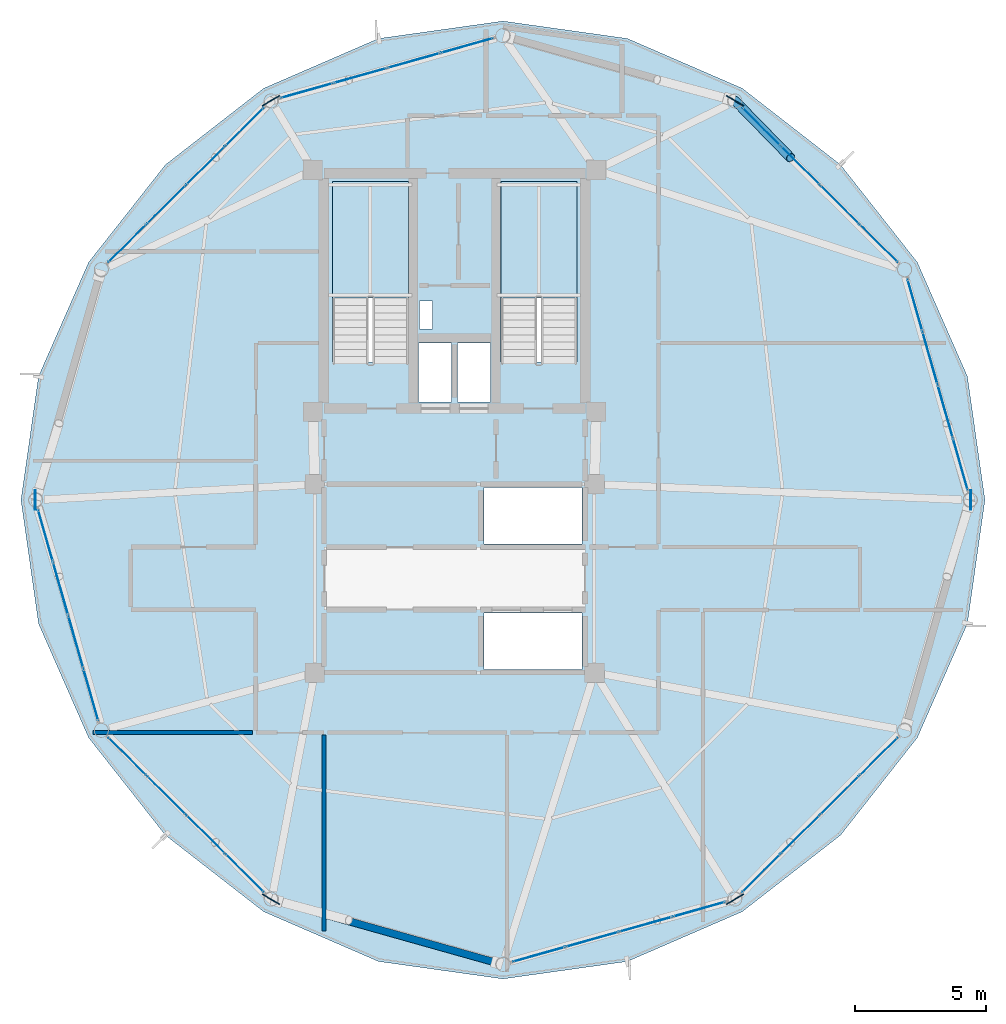
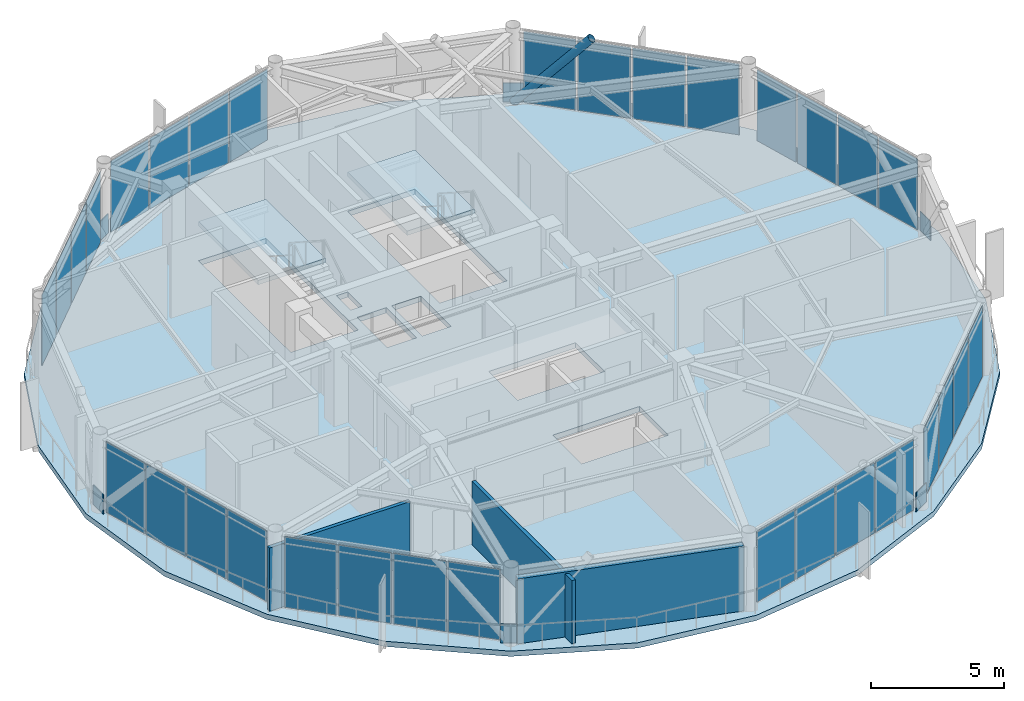
# One storey, part 18 of 24: 38 plates, 3 slabs, 3 walls, 1 member, 10 elements without a shape of their own.
"""IFC4 building model written with IfcOpenShell, lengths in metres."""

from ifc_helpers import new_model, si_unit, direction, frame, frame_2d, origin, origin_2d, place, context, subcontext, project, spatial, polyline, rectangle, hollow_circle, outline, extrude, source, transform, mapped, material, layer, layer_set, material_profile, profile_set, type_object, type_shapes, element, aggregate, save


model = new_model("IFC4")

# Units and contexts
model_context = context("Model", 3, precision=1e-05, world=origin(), true_north=direction((0.0, 1.0)))
body_context = subcontext(model_context, "Body", "Model", "MODEL_VIEW")
ifc_project = project(units=[si_unit("LENGTHUNIT", "METRE"), si_unit("AREAUNIT", "SQUARE_METRE"), si_unit("VOLUMEUNIT", "CUBIC_METRE"), si_unit("PLANEANGLEUNIT", "RADIAN"), si_unit("MASSUNIT", "GRAM", prefix="KILO")], contexts=[model_context])

# Site, building, storey
site_placement = place(None, origin())
site = spatial("IfcSite", under=ifc_project, at=site_placement, CompositionType="ELEMENT")
building_placement = place(site_placement, origin())
building = spatial("IfcBuilding", under=site, at=building_placement, Name="Varnakorn Sky Granary", CompositionType="ELEMENT")
storey_placement = place(building_placement, frame((0.0, 0.0, 281.39990234375)))
storey = spatial("IfcBuildingStorey", under=building, at=storey_placement, Name="L72", CompositionType="ELEMENT", Elevation=281.39990234375)

# Member
ifc_material_1 = material(Name="Steel S460M", Category="steel")
ifc_material_profile = material_profile(ifc_material_1, hollow_circle(Radius=0.177734375, WallThickness=0.01416015625, at=origin_2d()), Name="CHS 355.6x14")
ifc_profile_set = profile_set([ifc_material_profile], Name="Steel S460M")
member_type = type_object("IfcMemberType", Name="MB-DIAG-T5", PredefinedType="BRACE", material=ifc_profile_set)
member_placement = place(storey_placement, frame((13.72509765625, 15.2705078125, 0.0), z_axis=(0.458839922845, -0.470179070364, 0.753921459434), x_axis=(0.715684070406, 0.698424162932, 0.0)))
element("IfcMember", 1, at=member_placement, inside=storey, type_object=member_type, Name="Perimeter CHS Diagrid Brace DG02 L72", PredefinedType="BRACE", context=body_context, shape_type="SweptSolid", body=[
    extrude(hollow_circle(Radius=0.177734375, WallThickness=0.01416015625, at=origin_2d()), origin(), (0.0, 0.0, 1.0), 4.629150390625),
])

# Plates
ifc_layer_1 = layer(ifc_material_1, 0.035888671875, Name="Steel S460M")
ifc_layer_set_1 = layer_set([ifc_layer_1], Name="Steel S460M")
plate_type_1 = type_object("IfcPlateType", Name="PL-NODE-KN4", PredefinedType="SHEET", material=ifc_layer_set_1)
for number, where, z_axis, x_axis, name in (
    (2, (22.735107421875, 0.0, 0.000244140625), (0.0, 0.0, 1.0), (0.0, 1.0, 0.0), "Diagrid Node Gusset Assembly KN4 L72-1"),
    (3, (13.72509765625, 15.2705078125, 0.000244140625), (0.0, 0.0, 1.0), (-0.864587273603, 0.502482682611, 0.0), "Diagrid Node Gusset Assembly KN4 L72-3"),
    (4, (-4.02490234375, 15.2705078125, 0.000244140625), (0.0, 0.0, 1.0), (-0.864587273603, -0.502482682611, 0.0), "Diagrid Node Gusset Assembly KN4 L72-5"),
    (5, (-13.034912109375, 0.0, 0.000244140625), (0.0, 0.0, 1.0), (0.0, -1.0, 0.0), "Diagrid Node Gusset Assembly KN4 L72-7"),
    (6, (-4.02490234375, -15.2705078125, 0.000244140625), (0.0, 0.0, 1.0), (0.864587273603, -0.502482682611, 0.0), "Diagrid Node Gusset Assembly KN4 L72-9"),
    (7, (13.72509765625, -15.2705078125, 0.000244140625), (0.0, 0.0, 1.0), (0.864587273603, 0.502482682611, 0.0), "Diagrid Node Gusset Assembly KN4 L72-11"),
):
    element("IfcPlate", number, at=place(storey_placement, frame(where, z_axis=z_axis, x_axis=x_axis)), inside=storey, type_object=plate_type_1, Name=name, PredefinedType="SHEET", context=body_context, shape_type="SweptSolid", body=[
        extrude(rectangle(XDim=0.760009765625, YDim=0.035888671875, at=origin_2d()), origin(), (0.0, 0.0, 1.0), 0.8798828125),
    ])

# Stair, slab
ifc_material_2 = material(Name="Concrete C40/50", Category="concrete")
stair_type = type_object("IfcStairType", Name="ST-MAIN-ASSEMBLY", PredefinedType="HALF_TURN_STAIR", material=ifc_material_2)
stair_1_placement = place(storey_placement, origin())
stair_1 = element("IfcStair", 8, at=stair_1_placement, inside=storey, type_object=stair_type, Name="L72 Protected Exit Stair ST-1", PredefinedType="HALF_TURN_STAIR")
ifc_layer_2 = layer(ifc_material_2, 0.199951171875, Name="Concrete C40/50")
ifc_layer_set_2 = layer_set([ifc_layer_2], Name="Concrete C40/50")
slab_type_1 = type_object("IfcSlabType", Name="ST-MAIN-LAND", PredefinedType="LANDING", material=ifc_layer_set_2)
slab_1_placement = place(storey_placement, frame((0.0, 0.0, 1.60009765625)))
slab_1 = element("IfcSlab", 9, at=slab_1_placement, type_object=slab_type_1, Name="ST-1 landing 1", PredefinedType="LANDING", context=body_context, shape_type="SweptSolid", body=[
    extrude(outline(polyline([(1.239990234375, 7.719970703125), (1.239990234375, 12.179931640625), (-1.669921875, 12.179931640625), (-1.669921875, 7.719970703125), (1.239990234375, 7.719970703125)])), origin(), (0.0, 0.0, 1.0), 0.199951171875),
])
aggregate(stair_1, [slab_1])

stair_2_placement = place(storey_placement, origin())
stair_2 = element("IfcStair", 10, at=stair_2_placement, inside=storey, type_object=stair_type, Name="L72 Protected Exit Stair ST-2", PredefinedType="HALF_TURN_STAIR")
slab_2_placement = place(storey_placement, frame((0.0, 0.0, 1.60009765625)))
slab_2 = element("IfcSlab", 11, at=slab_2_placement, type_object=slab_type_1, Name="ST-2 landing 1", PredefinedType="LANDING", context=body_context, shape_type="SweptSolid", body=[
    extrude(outline(polyline([(7.679931640625, 7.719970703125), (7.679931640625, 12.179931640625), (4.77001953125, 12.179931640625), (4.77001953125, 7.719970703125), (7.679931640625, 7.719970703125)])), origin(), (0.0, 0.0, 1.0), 0.199951171875),
])
aggregate(stair_2, [slab_2])

# Slab
ifc_material_3 = material(Name="Concrete C50/60", Category="concrete")
ifc_layer_3 = layer(ifc_material_3, 0.239990234375, Name="Concrete C50/60")
ifc_layer_set_3 = layer_set([ifc_layer_3], Name="Concrete C50/60")
slab_type_2 = type_object("IfcSlabType", Name="ST-SL-TWR-240", PredefinedType="FLOOR", material=ifc_layer_set_3)
slab_3_placement = place(storey_placement, frame((0.0, 0.0, -0.239990234375)))
element("IfcSlab", 12, at=slab_3_placement, inside=storey, type_object=slab_type_2, Name="Level L72 Structural Floor Slab", PredefinedType="FLOOR", context=body_context, shape_type="SweptSolid", body=[
    extrude(outline(polyline([(23.284912109375, 0.0), (22.61328125, 4.7294921875), (20.6982421875, 9.091552734375), (17.75830078125, 12.825439453125), (14.0, 15.746826171875), (9.609619140625, 17.650390625), (4.85009765625, 18.318115234375), (0.09033203125, 17.650390625), (-4.300048828125, 15.746826171875), (-8.05810546875, 12.825439453125), (-10.998291015625, 9.091552734375), (-12.913330078125, 4.7294921875), (-13.5849609375, 0.0), (-12.913330078125, -4.7294921875), (-10.998291015625, -9.091552734375), (-8.05810546875, -12.825439453125), (-4.300048828125, -15.746826171875), (0.09033203125, -17.650390625), (4.85009765625, -18.318115234375), (9.609619140625, -17.650390625), (14.0, -15.746826171875), (17.75830078125, -12.825439453125), (20.6982421875, -9.091552734375), (22.61328125, -4.7294921875), (23.284912109375, 0.0)]), holes=[polyline([(1.239990234375, 5.27490234375), (1.239990234375, 12.179931640625), (-1.669921875, 12.179931640625), (-1.669921875, 5.27490234375), (1.239990234375, 5.27490234375)]), polyline([(7.679931640625, 5.27490234375), (7.679931640625, 12.179931640625), (4.77001953125, 12.179931640625), (4.77001953125, 5.27490234375), (7.679931640625, 5.27490234375)]), polyline([(1.659912109375, 6.550048828125), (2.14990234375, 6.550048828125), (2.14990234375, 7.6201171875), (1.659912109375, 7.6201171875), (1.659912109375, 6.550048828125)]), polyline([(1.6201171875, 3.739990234375), (2.8798828125, 3.739990234375), (2.8798828125, 6.010009765625), (1.6201171875, 6.010009765625), (1.6201171875, 3.739990234375)]), polyline([(3.1201171875, 3.739990234375), (4.3798828125, 3.739990234375), (4.3798828125, 6.010009765625), (3.1201171875, 6.010009765625), (3.1201171875, 3.739990234375)]), polyline([(4.1201171875, -1.679931640625), (7.8798828125, -1.679931640625), (7.8798828125, 0.47998046875), (4.1201171875, 0.47998046875), (4.1201171875, -1.679931640625)]), polyline([(4.1201171875, -6.47998046875), (7.8798828125, -6.47998046875), (7.8798828125, -4.320068359375), (4.1201171875, -4.320068359375), (4.1201171875, -6.47998046875)])]), origin(), (0.0, 0.0, 1.0), 0.239990234375),
])

# Curtain wall, plates
ifc_material_4 = material(Name="Anodised Bronze Aluminium Alloy 6063-T6", Category="aluminium")
ifc_layer_4 = layer(ifc_material_4, 0.159912109375, Name="Anodised Bronze Aluminium Alloy 6063-T6")
ifc_layer_set_4 = layer_set([ifc_layer_4], Name="Anodised Bronze Aluminium Alloy 6063-T6")
curtain_wall_type = type_object("IfcCurtainWallType", Name="CW-OFF-1", PredefinedType="USERDEFINED", material=ifc_layer_set_4)
curtain_wall_1_placement = place(storey_placement, origin())
curtain_wall_1 = element("IfcCurtainWall", 13, at=curtain_wall_1_placement, inside=storey, type_object=curtain_wall_type, Name="Unitised Curtain Wall CW6 CW-L72-B02", ObjectType="CURTAIN WALL", PredefinedType="USERDEFINED")
ifc_material_5 = material(Name="Opaque Insulated Aluminium Shadow-Box Unit", Category="aluminium")
ifc_layer_5 = layer(ifc_material_5, 0.02392578125, Name="Opaque Insulated Aluminium Shadow-Box Unit")
ifc_layer_set_5 = layer_set([ifc_layer_5], Name="Opaque Insulated Aluminium Shadow-Box Unit")
plate_type_2 = type_object("IfcPlateType", Name="CW-OFF-1-PNL", PredefinedType="CURTAIN_PANEL")
shared_shape_1 = source(origin(), body_context, "Body", "SweptSolid", [
    extrude(rectangle(XDim=2.0546875, YDim=0.02392578125, at=origin_2d()), origin(), (0.0, 0.0, 1.0), 3.22998046875),
])
plate_1_placement = place(storey_placement, frame((16.2216796875, 12.79052734375, 0.065185546875), z_axis=(0.0, 0.0, 1.0), x_axis=(0.709444052048, -0.704761759046, 0.0)))
plate_1 = element("IfcPlate", 14, at=plate_1_placement, type_object=plate_type_2, material=ifc_layer_set_5, Name="CW6 opaque insulated shadow-box unit 2.1", PredefinedType="CURTAIN_PANEL", context=body_context, shape_type="MappedRepresentation", body=[
    mapped(shared_shape_1, transform((0.0, 0.0, 0.0), x_axis=(1.0, 0.0, 0.0), y_axis=(0.0, 1.0, 0.0), z_axis=(0.0, 0.0, 1.0), scale=1.0)),
])
ifc_material_6 = material(Name="Low-E Tinted Laminated Glass", Category="glass")
ifc_layer_6 = layer(ifc_material_6, 0.02392578125, Name="Low-E Tinted Laminated Glass")
ifc_layer_set_6 = layer_set([ifc_layer_6], Name="Low-E Tinted Laminated Glass")
plate_2_placement = place(storey_placement, frame((17.725341796875, 11.296630859375, 0.065185546875), z_axis=(0.0, 0.0, 1.0), x_axis=(0.709444052048, -0.704761759046, 0.0)))
plate_2 = element("IfcPlate", 15, at=plate_2_placement, type_object=plate_type_2, material=ifc_layer_set_6, Name="CW6 vision glazing unit 3.1", PredefinedType="CURTAIN_PANEL", context=body_context, shape_type="MappedRepresentation", body=[
    mapped(shared_shape_1, transform((0.0, 0.0, 0.0), x_axis=(1.0, 0.0, 0.0), y_axis=(0.0, 1.0, 0.0), z_axis=(0.0, 0.0, 1.0), scale=1.0)),
])

curtain_wall_2_placement = place(storey_placement, origin())
curtain_wall_2 = element("IfcCurtainWall", 16, at=curtain_wall_2_placement, inside=storey, type_object=curtain_wall_type, Name="Unitised Curtain Wall CW6 CW-L72-B05", ObjectType="CURTAIN WALL", PredefinedType="USERDEFINED")
plate_3_placement = place(storey_placement, frame((-8.025390625, 11.296630859375, 0.065185546875), z_axis=(0.0, 0.0, 1.0), x_axis=(0.709444052048, 0.704761759046, 0.0)))
plate_3 = element("IfcPlate", 17, at=plate_3_placement, type_object=plate_type_2, material=ifc_layer_set_6, Name="CW6 vision glazing unit 2.1", PredefinedType="CURTAIN_PANEL", context=body_context, shape_type="MappedRepresentation", body=[
    mapped(shared_shape_1, transform((0.0, 0.0, 0.0), x_axis=(1.0, 0.0, 0.0), y_axis=(0.0, 1.0, 0.0), z_axis=(0.0, 0.0, 1.0), scale=1.0)),
])
plate_4_placement = place(storey_placement, frame((-6.521484375, 12.79052734375, 0.065185546875), z_axis=(0.0, 0.0, 1.0), x_axis=(0.709444052048, 0.704761759046, 0.0)))
plate_4 = element("IfcPlate", 18, at=plate_4_placement, type_object=plate_type_2, material=ifc_layer_set_5, Name="CW6 opaque insulated shadow-box unit 3.1", PredefinedType="CURTAIN_PANEL", context=body_context, shape_type="MappedRepresentation", body=[
    mapped(shared_shape_1, transform((0.0, 0.0, 0.0), x_axis=(1.0, 0.0, 0.0), y_axis=(0.0, 1.0, 0.0), z_axis=(0.0, 0.0, 1.0), scale=1.0)),
])

curtain_wall_3_placement = place(storey_placement, origin())
curtain_wall_3 = element("IfcCurtainWall", 19, at=curtain_wall_3_placement, inside=storey, type_object=curtain_wall_type, Name="Unitised Curtain Wall CW6 CW-L72-B08", ObjectType="CURTAIN WALL", PredefinedType="USERDEFINED")
plate_5_placement = place(storey_placement, frame((-6.521484375, -12.79052734375, 0.065185546875), z_axis=(0.0, 0.0, 1.0), x_axis=(-0.709444052048, 0.704761759046, 0.0)))
plate_5 = element("IfcPlate", 20, at=plate_5_placement, type_object=plate_type_2, material=ifc_layer_set_5, Name="CW6 opaque insulated shadow-box unit 2.1", PredefinedType="CURTAIN_PANEL", context=body_context, shape_type="MappedRepresentation", body=[
    mapped(shared_shape_1, transform((0.0, 0.0, 0.0), x_axis=(1.0, 0.0, 0.0), y_axis=(0.0, 1.0, 0.0), z_axis=(0.0, 0.0, 1.0), scale=1.0)),
])
plate_6_placement = place(storey_placement, frame((-8.025390625, -11.296630859375, 0.065185546875), z_axis=(0.0, 0.0, 1.0), x_axis=(-0.709444052048, 0.704761759046, 0.0)))
plate_6 = element("IfcPlate", 21, at=plate_6_placement, type_object=plate_type_2, material=ifc_layer_set_6, Name="CW6 vision glazing unit 3.1", PredefinedType="CURTAIN_PANEL", context=body_context, shape_type="MappedRepresentation", body=[
    mapped(shared_shape_1, transform((0.0, 0.0, 0.0), x_axis=(1.0, 0.0, 0.0), y_axis=(0.0, 1.0, 0.0), z_axis=(0.0, 0.0, 1.0), scale=1.0)),
])

curtain_wall_4_placement = place(storey_placement, origin())
curtain_wall_4 = element("IfcCurtainWall", 22, at=curtain_wall_4_placement, inside=storey, type_object=curtain_wall_type, Name="Unitised Curtain Wall CW6 CW-L72-B11", ObjectType="CURTAIN WALL", PredefinedType="USERDEFINED")
plate_7_placement = place(storey_placement, frame((17.725341796875, -11.296630859375, 0.065185546875), z_axis=(0.0, 0.0, 1.0), x_axis=(-0.709444052048, -0.704761759046, 0.0)))
plate_7 = element("IfcPlate", 23, at=plate_7_placement, type_object=plate_type_2, material=ifc_layer_set_6, Name="CW6 vision glazing unit 2.1", PredefinedType="CURTAIN_PANEL", context=body_context, shape_type="MappedRepresentation", body=[
    mapped(shared_shape_1, transform((0.0, 0.0, 0.0), x_axis=(1.0, 0.0, 0.0), y_axis=(0.0, 1.0, 0.0), z_axis=(0.0, 0.0, 1.0), scale=1.0)),
])
plate_8_placement = place(storey_placement, frame((16.2216796875, -12.79052734375, 0.065185546875), z_axis=(0.0, 0.0, 1.0), x_axis=(-0.709444052048, -0.704761759046, 0.0)))
plate_8 = element("IfcPlate", 24, at=plate_8_placement, type_object=plate_type_2, material=ifc_layer_set_5, Name="CW6 opaque insulated shadow-box unit 3.1", PredefinedType="CURTAIN_PANEL", context=body_context, shape_type="MappedRepresentation", body=[
    mapped(shared_shape_1, transform((0.0, 0.0, 0.0), x_axis=(1.0, 0.0, 0.0), y_axis=(0.0, 1.0, 0.0), z_axis=(0.0, 0.0, 1.0), scale=1.0)),
])

curtain_wall_5_placement = place(storey_placement, origin())
curtain_wall_5 = element("IfcCurtainWall", 25, at=curtain_wall_5_placement, inside=storey, type_object=curtain_wall_type, Name="Unitised Curtain Wall CW6 CW-L72-B01", ObjectType="CURTAIN WALL", PredefinedType="USERDEFINED")
shared_shape_2 = source(origin(), body_context, "Body", "SweptSolid", [
    extrude(rectangle(XDim=2.024658203125, YDim=0.02392578125, at=origin_2d()), origin(), (0.0, 0.0, 1.0), 3.22998046875),
])
plate_9_placement = place(storey_placement, frame((20.6103515625, 7.453857421875, 0.065185546875), z_axis=(0.0, 0.0, 1.0), x_axis=(0.274108042934, -0.961698903399, 0.0)))
plate_9 = element("IfcPlate", 26, at=plate_9_placement, type_object=plate_type_2, material=ifc_layer_set_6, Name="CW6 vision glazing unit 1.1", PredefinedType="CURTAIN_PANEL", context=body_context, shape_type="MappedRepresentation", body=[
    mapped(shared_shape_2, transform((0.0, 0.0, 0.0), x_axis=(1.0, 0.0, 0.0), y_axis=(0.0, 1.0, 0.0), z_axis=(0.0, 0.0, 1.0), scale=1.0)),
])
plate_10_placement = place(storey_placement, frame((22.3466796875, 1.362548828125, 0.065185546875), z_axis=(0.0, 0.0, 1.0), x_axis=(0.274108042934, -0.961698903399, 0.0)))
plate_10 = element("IfcPlate", 27, at=plate_10_placement, type_object=plate_type_2, material=ifc_layer_set_5, Name="CW6 opaque insulated shadow-box unit 4.1", PredefinedType="CURTAIN_PANEL", context=body_context, shape_type="MappedRepresentation", body=[
    mapped(shared_shape_2, transform((0.0, 0.0, 0.0), x_axis=(1.0, 0.0, 0.0), y_axis=(0.0, 1.0, 0.0), z_axis=(0.0, 0.0, 1.0), scale=1.0)),
])

curtain_wall_6_placement = place(storey_placement, origin())
curtain_wall_6 = element("IfcCurtainWall", 28, at=curtain_wall_6_placement, inside=storey, type_object=curtain_wall_type, Name="Unitised Curtain Wall CW6 CW-L72-B07", ObjectType="CURTAIN WALL", PredefinedType="USERDEFINED")
plate_11_placement = place(storey_placement, frame((-10.910400390625, -7.453857421875, 0.065185546875), z_axis=(0.0, 0.0, 1.0), x_axis=(-0.274108042934, 0.961698903399, 0.0)))
plate_11 = element("IfcPlate", 29, at=plate_11_placement, type_object=plate_type_2, material=ifc_layer_set_6, Name="CW6 vision glazing unit 1.1", PredefinedType="CURTAIN_PANEL", context=body_context, shape_type="MappedRepresentation", body=[
    mapped(shared_shape_2, transform((0.0, 0.0, 0.0), x_axis=(1.0, 0.0, 0.0), y_axis=(0.0, 1.0, 0.0), z_axis=(0.0, 0.0, 1.0), scale=1.0)),
])
plate_12_placement = place(storey_placement, frame((-12.646484375, -1.362548828125, 0.065185546875), z_axis=(0.0, 0.0, 1.0), x_axis=(-0.274108042934, 0.961698903399, 0.0)))
plate_12 = element("IfcPlate", 30, at=plate_12_placement, type_object=plate_type_2, material=ifc_layer_set_5, Name="CW6 opaque insulated shadow-box unit 4.1", PredefinedType="CURTAIN_PANEL", context=body_context, shape_type="MappedRepresentation", body=[
    mapped(shared_shape_2, transform((0.0, 0.0, 0.0), x_axis=(1.0, 0.0, 0.0), y_axis=(0.0, 1.0, 0.0), z_axis=(0.0, 0.0, 1.0), scale=1.0)),
])

# Plate
shared_shape_3 = source(origin(), body_context, "Body", "SweptSolid", [
    extrude(rectangle(XDim=2.05712890625, YDim=0.02392578125, at=origin_2d()), origin(), (0.0, 0.0, 1.0), 3.22998046875),
])
plate_13_placement = place(storey_placement, frame((21.187744140625, 5.4287109375, 0.065185546875), z_axis=(0.0, 0.0, 1.0), x_axis=(0.274108042934, -0.961698903399, 0.0)))
plate_13 = element("IfcPlate", 31, at=plate_13_placement, type_object=plate_type_2, material=ifc_layer_set_6, Name="CW6 vision glazing unit 2.1", PredefinedType="CURTAIN_PANEL", context=body_context, shape_type="MappedRepresentation", body=[
    mapped(shared_shape_3, transform((0.0, 0.0, 0.0), x_axis=(1.0, 0.0, 0.0), y_axis=(0.0, 1.0, 0.0), z_axis=(0.0, 0.0, 1.0), scale=1.0)),
])

plate_14_placement = place(storey_placement, frame((21.769287109375, 3.3876953125, 0.065185546875), z_axis=(0.0, 0.0, 1.0), x_axis=(0.274108042934, -0.961698903399, 0.0)))
plate_14 = element("IfcPlate", 32, at=plate_14_placement, type_object=plate_type_2, material=ifc_layer_set_5, Name="CW6 opaque insulated shadow-box unit 3.1", PredefinedType="CURTAIN_PANEL", context=body_context, shape_type="MappedRepresentation", body=[
    mapped(shared_shape_3, transform((0.0, 0.0, 0.0), x_axis=(1.0, 0.0, 0.0), y_axis=(0.0, 1.0, 0.0), z_axis=(0.0, 0.0, 1.0), scale=1.0)),
])

aggregate(curtain_wall_5, [plate_9, plate_13, plate_14, plate_10])

plate_15_placement = place(storey_placement, frame((-11.487548828125, -5.4287109375, 0.065185546875), z_axis=(0.0, 0.0, 1.0), x_axis=(-0.274108042934, 0.961698903399, 0.0)))
plate_15 = element("IfcPlate", 33, at=plate_15_placement, type_object=plate_type_2, material=ifc_layer_set_6, Name="CW6 vision glazing unit 2.1", PredefinedType="CURTAIN_PANEL", context=body_context, shape_type="MappedRepresentation", body=[
    mapped(shared_shape_3, transform((0.0, 0.0, 0.0), x_axis=(1.0, 0.0, 0.0), y_axis=(0.0, 1.0, 0.0), z_axis=(0.0, 0.0, 1.0), scale=1.0)),
])

plate_16_placement = place(storey_placement, frame((-12.0693359375, -3.3876953125, 0.065185546875), z_axis=(0.0, 0.0, 1.0), x_axis=(-0.274108042934, 0.961698903399, 0.0)))
plate_16 = element("IfcPlate", 34, at=plate_16_placement, type_object=plate_type_2, material=ifc_layer_set_5, Name="CW6 opaque insulated shadow-box unit 3.1", PredefinedType="CURTAIN_PANEL", context=body_context, shape_type="MappedRepresentation", body=[
    mapped(shared_shape_3, transform((0.0, 0.0, 0.0), x_axis=(1.0, 0.0, 0.0), y_axis=(0.0, 1.0, 0.0), z_axis=(0.0, 0.0, 1.0), scale=1.0)),
])

aggregate(curtain_wall_6, [plate_11, plate_15, plate_16, plate_12])

shared_shape_4 = source(origin(), body_context, "Body", "SweptSolid", [
    extrude(rectangle(XDim=2.022216796875, YDim=0.02392578125, at=origin_2d()), origin(), (0.0, 0.0, 1.0), 3.22998046875),
])
plate_17_placement = place(storey_placement, frame((14.729248046875, 14.27294921875, 0.065185546875), z_axis=(0.0, 0.0, 1.0), x_axis=(0.709444052048, -0.704761759046, 0.0)))
plate_17 = element("IfcPlate", 35, at=plate_17_placement, type_object=plate_type_2, material=ifc_layer_set_5, Name="CW6 opaque insulated shadow-box unit 1.1", PredefinedType="CURTAIN_PANEL", context=body_context, shape_type="MappedRepresentation", body=[
    mapped(shared_shape_4, transform((0.0, 0.0, 0.0), x_axis=(1.0, 0.0, 0.0), y_axis=(0.0, 1.0, 0.0), z_axis=(0.0, 0.0, 1.0), scale=1.0)),
])

plate_18_placement = place(storey_placement, frame((19.2177734375, 9.814208984375, 0.065185546875), z_axis=(0.0, 0.0, 1.0), x_axis=(0.709444052048, -0.704761759046, 0.0)))
plate_18 = element("IfcPlate", 36, at=plate_18_placement, type_object=plate_type_2, material=ifc_layer_set_6, Name="CW6 vision glazing unit 4.1", PredefinedType="CURTAIN_PANEL", context=body_context, shape_type="MappedRepresentation", body=[
    mapped(shared_shape_4, transform((0.0, 0.0, 0.0), x_axis=(1.0, 0.0, 0.0), y_axis=(0.0, 1.0, 0.0), z_axis=(0.0, 0.0, 1.0), scale=1.0)),
])

aggregate(curtain_wall_1, [plate_17, plate_1, plate_2, plate_18])

plate_19_placement = place(storey_placement, frame((-9.517578125, 9.814208984375, 0.065185546875), z_axis=(0.0, 0.0, 1.0), x_axis=(0.709444052048, 0.704761759046, 0.0)))
plate_19 = element("IfcPlate", 37, at=plate_19_placement, type_object=plate_type_2, material=ifc_layer_set_6, Name="CW6 vision glazing unit 1.1", PredefinedType="CURTAIN_PANEL", context=body_context, shape_type="MappedRepresentation", body=[
    mapped(shared_shape_4, transform((0.0, 0.0, 0.0), x_axis=(1.0, 0.0, 0.0), y_axis=(0.0, 1.0, 0.0), z_axis=(0.0, 0.0, 1.0), scale=1.0)),
])

plate_20_placement = place(storey_placement, frame((-5.029296875, 14.27294921875, 0.065185546875), z_axis=(0.0, 0.0, 1.0), x_axis=(0.709444052048, 0.704761759046, 0.0)))
plate_20 = element("IfcPlate", 38, at=plate_20_placement, type_object=plate_type_2, material=ifc_layer_set_5, Name="CW6 opaque insulated shadow-box unit 4.1", PredefinedType="CURTAIN_PANEL", context=body_context, shape_type="MappedRepresentation", body=[
    mapped(shared_shape_4, transform((0.0, 0.0, 0.0), x_axis=(1.0, 0.0, 0.0), y_axis=(0.0, 1.0, 0.0), z_axis=(0.0, 0.0, 1.0), scale=1.0)),
])

aggregate(curtain_wall_2, [plate_19, plate_3, plate_4, plate_20])

plate_21_placement = place(storey_placement, frame((-5.029296875, -14.27294921875, 0.065185546875), z_axis=(0.0, 0.0, 1.0), x_axis=(-0.709444052048, 0.704761759046, 0.0)))
plate_21 = element("IfcPlate", 39, at=plate_21_placement, type_object=plate_type_2, material=ifc_layer_set_5, Name="CW6 opaque insulated shadow-box unit 1.1", PredefinedType="CURTAIN_PANEL", context=body_context, shape_type="MappedRepresentation", body=[
    mapped(shared_shape_4, transform((0.0, 0.0, 0.0), x_axis=(1.0, 0.0, 0.0), y_axis=(0.0, 1.0, 0.0), z_axis=(0.0, 0.0, 1.0), scale=1.0)),
])

plate_22_placement = place(storey_placement, frame((-9.517578125, -9.814208984375, 0.065185546875), z_axis=(0.0, 0.0, 1.0), x_axis=(-0.709444052048, 0.704761759046, 0.0)))
plate_22 = element("IfcPlate", 40, at=plate_22_placement, type_object=plate_type_2, material=ifc_layer_set_6, Name="CW6 vision glazing unit 4.1", PredefinedType="CURTAIN_PANEL", context=body_context, shape_type="MappedRepresentation", body=[
    mapped(shared_shape_4, transform((0.0, 0.0, 0.0), x_axis=(1.0, 0.0, 0.0), y_axis=(0.0, 1.0, 0.0), z_axis=(0.0, 0.0, 1.0), scale=1.0)),
])

aggregate(curtain_wall_3, [plate_21, plate_5, plate_6, plate_22])

plate_23_placement = place(storey_placement, frame((19.2177734375, -9.814208984375, 0.065185546875), z_axis=(0.0, 0.0, 1.0), x_axis=(-0.709444052048, -0.704761759046, 0.0)))
plate_23 = element("IfcPlate", 41, at=plate_23_placement, type_object=plate_type_2, material=ifc_layer_set_6, Name="CW6 vision glazing unit 1.1", PredefinedType="CURTAIN_PANEL", context=body_context, shape_type="MappedRepresentation", body=[
    mapped(shared_shape_4, transform((0.0, 0.0, 0.0), x_axis=(1.0, 0.0, 0.0), y_axis=(0.0, 1.0, 0.0), z_axis=(0.0, 0.0, 1.0), scale=1.0)),
])

plate_24_placement = place(storey_placement, frame((14.729248046875, -14.27294921875, 0.065185546875), z_axis=(0.0, 0.0, 1.0), x_axis=(-0.709444052048, -0.704761759046, 0.0)))
plate_24 = element("IfcPlate", 42, at=plate_24_placement, type_object=plate_type_2, material=ifc_layer_set_5, Name="CW6 opaque insulated shadow-box unit 4.1", PredefinedType="CURTAIN_PANEL", context=body_context, shape_type="MappedRepresentation", body=[
    mapped(shared_shape_4, transform((0.0, 0.0, 0.0), x_axis=(1.0, 0.0, 0.0), y_axis=(0.0, 1.0, 0.0), z_axis=(0.0, 0.0, 1.0), scale=1.0)),
])

aggregate(curtain_wall_4, [plate_23, plate_7, plate_8, plate_24])

# Curtain wall, plates
curtain_wall_7_placement = place(storey_placement, origin())
curtain_wall_7 = element("IfcCurtainWall", 43, at=curtain_wall_7_placement, inside=storey, type_object=curtain_wall_type, Name="Unitised Curtain Wall CW6 CW-L72-B04", ObjectType="CURTAIN WALL", PredefinedType="USERDEFINED")
shared_shape_5 = source(origin(), body_context, "Body", "SweptSolid", [
    extrude(rectangle(XDim=2.03759765625, YDim=0.02392578125, at=origin_2d()), origin(), (0.0, 0.0, 1.0), 3.22998046875),
])
plate_25_placement = place(storey_placement, frame((-2.65478515625, 15.65625, 0.065185546875), z_axis=(0.0, 0.0, 1.0), x_axis=(0.962616410301, 0.270868319703, 0.0)))
plate_25 = element("IfcPlate", 44, at=plate_25_placement, type_object=plate_type_2, material=ifc_layer_set_5, Name="CW6 opaque insulated shadow-box unit 1.1", PredefinedType="CURTAIN_PANEL", context=body_context, shape_type="MappedRepresentation", body=[
    mapped(shared_shape_5, transform((0.0, 0.0, 0.0), x_axis=(1.0, 0.0, 0.0), y_axis=(0.0, 1.0, 0.0), z_axis=(0.0, 0.0, 1.0), scale=1.0)),
])
plate_26_placement = place(storey_placement, frame((3.47998046875, 17.38232421875, 0.065185546875), z_axis=(0.0, 0.0, 1.0), x_axis=(0.962616410301, 0.270868319703, 0.0)))
plate_26 = element("IfcPlate", 45, at=plate_26_placement, type_object=plate_type_2, material=ifc_layer_set_6, Name="CW6 vision glazing unit 4.1", PredefinedType="CURTAIN_PANEL", context=body_context, shape_type="MappedRepresentation", body=[
    mapped(shared_shape_5, transform((0.0, 0.0, 0.0), x_axis=(1.0, 0.0, 0.0), y_axis=(0.0, 1.0, 0.0), z_axis=(0.0, 0.0, 1.0), scale=1.0)),
])

curtain_wall_8_placement = place(storey_placement, origin())
curtain_wall_8 = element("IfcCurtainWall", 46, at=curtain_wall_8_placement, inside=storey, type_object=curtain_wall_type, Name="Unitised Curtain Wall CW6 CW-L72-B10", ObjectType="CURTAIN WALL", PredefinedType="USERDEFINED")
plate_27_placement = place(storey_placement, frame((12.35498046875, -15.65625, 0.065185546875), z_axis=(0.0, 0.0, 1.0), x_axis=(-0.962616410301, -0.270868319703, 0.0)))
plate_27 = element("IfcPlate", 47, at=plate_27_placement, type_object=plate_type_2, material=ifc_layer_set_5, Name="CW6 opaque insulated shadow-box unit 1.1", PredefinedType="CURTAIN_PANEL", context=body_context, shape_type="MappedRepresentation", body=[
    mapped(shared_shape_5, transform((0.0, 0.0, 0.0), x_axis=(1.0, 0.0, 0.0), y_axis=(0.0, 1.0, 0.0), z_axis=(0.0, 0.0, 1.0), scale=1.0)),
])
plate_28_placement = place(storey_placement, frame((6.22021484375, -17.38232421875, 0.065185546875), z_axis=(0.0, 0.0, 1.0), x_axis=(-0.962616410301, -0.270868319703, 0.0)))
plate_28 = element("IfcPlate", 48, at=plate_28_placement, type_object=plate_type_2, material=ifc_layer_set_6, Name="CW6 vision glazing unit 4.1", PredefinedType="CURTAIN_PANEL", context=body_context, shape_type="MappedRepresentation", body=[
    mapped(shared_shape_5, transform((0.0, 0.0, 0.0), x_axis=(1.0, 0.0, 0.0), y_axis=(0.0, 1.0, 0.0), z_axis=(0.0, 0.0, 1.0), scale=1.0)),
])

# Plate
shared_shape_6 = source(origin(), body_context, "Body", "SweptSolid", [
    extrude(rectangle(XDim=2.070068359375, YDim=0.02392578125, at=origin_2d()), origin(), (0.0, 0.0, 1.0), 3.22998046875),
])
type_shapes(plate_type_2, [shared_shape_1, shared_shape_2, shared_shape_3, shared_shape_4, shared_shape_5, shared_shape_6])
plate_29_placement = place(storey_placement, frame((-0.615234375, 16.230224609375, 0.065185546875), z_axis=(0.0, 0.0, 1.0), x_axis=(0.962616410301, 0.270868319703, 0.0)))
plate_29 = element("IfcPlate", 49, at=plate_29_placement, type_object=plate_type_2, material=ifc_layer_set_5, Name="CW6 opaque insulated shadow-box unit 2.1", PredefinedType="CURTAIN_PANEL", context=body_context, shape_type="MappedRepresentation", body=[
    mapped(shared_shape_6, transform((0.0, 0.0, 0.0), x_axis=(1.0, 0.0, 0.0), y_axis=(0.0, 1.0, 0.0), z_axis=(0.0, 0.0, 1.0), scale=1.0)),
])

plate_30_placement = place(storey_placement, frame((1.440185546875, 16.80859375, 0.065185546875), z_axis=(0.0, 0.0, 1.0), x_axis=(0.962616410301, 0.270868319703, 0.0)))
plate_30 = element("IfcPlate", 50, at=plate_30_placement, type_object=plate_type_2, material=ifc_layer_set_6, Name="CW6 vision glazing unit 3.1", PredefinedType="CURTAIN_PANEL", context=body_context, shape_type="MappedRepresentation", body=[
    mapped(shared_shape_6, transform((0.0, 0.0, 0.0), x_axis=(1.0, 0.0, 0.0), y_axis=(0.0, 1.0, 0.0), z_axis=(0.0, 0.0, 1.0), scale=1.0)),
])

aggregate(curtain_wall_7, [plate_25, plate_29, plate_30, plate_26])

plate_31_placement = place(storey_placement, frame((10.315185546875, -16.230224609375, 0.065185546875), z_axis=(0.0, 0.0, 1.0), x_axis=(-0.962616410301, -0.270868319703, 0.0)))
plate_31 = element("IfcPlate", 51, at=plate_31_placement, type_object=plate_type_2, material=ifc_layer_set_5, Name="CW6 opaque insulated shadow-box unit 2.1", PredefinedType="CURTAIN_PANEL", context=body_context, shape_type="MappedRepresentation", body=[
    mapped(shared_shape_6, transform((0.0, 0.0, 0.0), x_axis=(1.0, 0.0, 0.0), y_axis=(0.0, 1.0, 0.0), z_axis=(0.0, 0.0, 1.0), scale=1.0)),
])

plate_32_placement = place(storey_placement, frame((8.259765625, -16.80859375, 0.065185546875), z_axis=(0.0, 0.0, 1.0), x_axis=(-0.962616410301, -0.270868319703, 0.0)))
plate_32 = element("IfcPlate", 52, at=plate_32_placement, type_object=plate_type_2, material=ifc_layer_set_6, Name="CW6 vision glazing unit 3.1", PredefinedType="CURTAIN_PANEL", context=body_context, shape_type="MappedRepresentation", body=[
    mapped(shared_shape_6, transform((0.0, 0.0, 0.0), x_axis=(1.0, 0.0, 0.0), y_axis=(0.0, 1.0, 0.0), z_axis=(0.0, 0.0, 1.0), scale=1.0)),
])

aggregate(curtain_wall_8, [plate_27, plate_31, plate_32, plate_28])

# Walls
ifc_material_7 = material(Name="Precast concrete C40/50", Category="concrete")
ifc_layer_7 = layer(ifc_material_7, 0.280029296875, Name="Precast concrete C40/50")
ifc_layer_set_7 = layer_set([ifc_layer_7], Name="Precast concrete C40/50")
wall_type_1 = type_object("IfcWallType", Name="WT-EW-CRN-280", PredefinedType="SOLIDWALL", material=ifc_layer_set_7)
wall_1_placement = place(storey_placement, frame((4.624267578125, -17.70458984375, 0.0), z_axis=(0.0, 0.0, 1.0), x_axis=(-0.962607071453, 0.270901506066, 0.0)))
element("IfcWall", 53, at=wall_1_placement, inside=storey, type_object=wall_type_1, Name="Agritech Insulated Precast Facade Wall L72-P09", PredefinedType="SOLIDWALL", context=body_context, shape_type="SweptSolid", body=[
    extrude(rectangle(XDim=8.750732421875, YDim=0.280029296875, at=frame_2d((4.37548828125, 0.0))), origin(), (0.0, 0.0, 1.0), 2.97021484375),
])
ifc_material_8 = material(Name="Gypsum Plasterboard on Steel Stud", Category="steel")
ifc_layer_8 = layer(ifc_material_8, 0.14990234375, Name="Gypsum Plasterboard on Steel Stud")
ifc_layer_set_8 = layer_set([ifc_layer_8], Name="Gypsum Plasterboard on Steel Stud")
wall_type_2 = type_object("IfcWallType", Name="WT-PART-150", PredefinedType="PARTITIONING", material=ifc_layer_set_8)
wall_2_placement = place(storey_placement, frame((-2.0, -8.985107421875, 0.0), z_axis=(0.0, 0.0, 1.0), x_axis=(0.0, -1.0, 0.0)))
element("IfcWall", 54, at=wall_2_placement, inside=storey, type_object=wall_type_2, Name="Interior Partition Wall L72-035", PredefinedType="PARTITIONING", context=body_context, shape_type="SweptSolid", body=[
    extrude(rectangle(XDim=7.5, YDim=0.14990234375, at=frame_2d((3.75, 0.0))), origin(), (0.0, 0.0, 1.0), 2.89208984375),
])
wall_3_placement = place(storey_placement, frame((-10.822021484375, -8.89990234375, 0.0), z_axis=(0.0, 0.0, 1.0), x_axis=(1.0, 0.0, 0.0)))
element("IfcWall", 55, at=wall_3_placement, inside=storey, type_object=wall_type_2, Name="Interior Partition Wall L72-036", PredefinedType="PARTITIONING", context=body_context, shape_type="SweptSolid", body=[
    extrude(rectangle(XDim=6.0869140625, YDim=0.14990234375, at=frame_2d((3.04345703125, 0.0))), origin(), (0.0, 0.0, 1.0), 2.89208984375),
])

save(model, "model.ifc")
